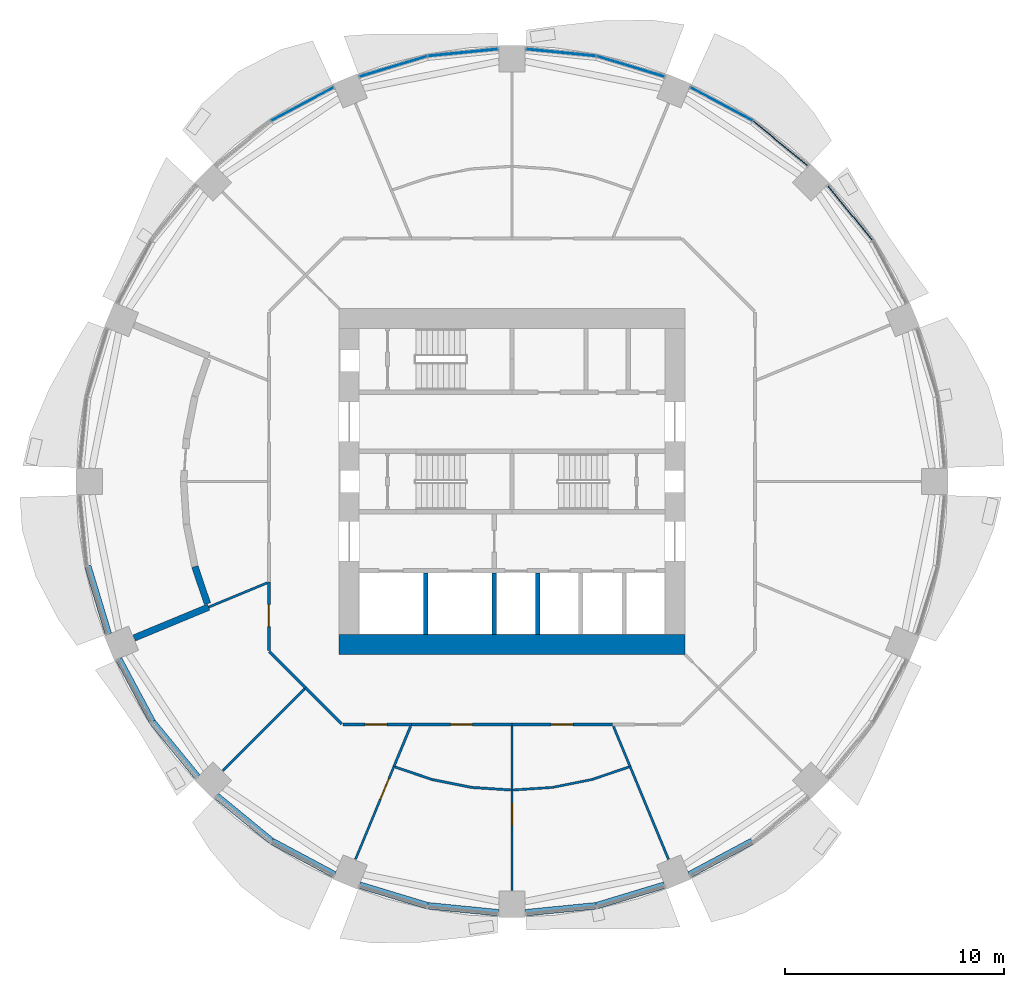
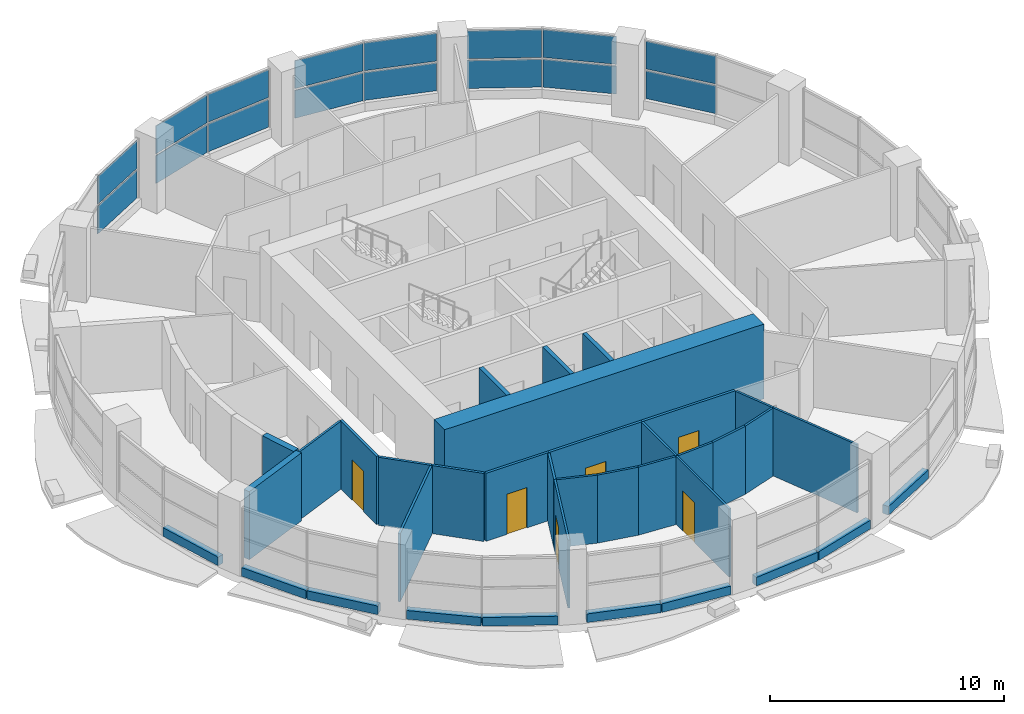
# One storey, part 7 of 15: 36 walls, 16 plates, 6 doors, 6 openings, 5 elements without a shape of their own.
"""IFC4 building model written with IfcOpenShell, lengths in metres."""

from ifc_helpers import new_model, si_unit, direction, frame, frame_2d, origin, origin_2d, place, context, subcontext, project, spatial, rectangle, extrude, material, layer, layer_set, type_object, element, fill, aggregate, save


model = new_model("IFC4")

# Units and contexts
model_context = context("Model", 3, precision=1e-05, world=origin(), true_north=direction((0.0, 1.0)))
body_context = subcontext(model_context, "Body", "Model", "MODEL_VIEW")
ifc_project = project(units=[si_unit("LENGTHUNIT", "METRE"), si_unit("AREAUNIT", "SQUARE_METRE"), si_unit("VOLUMEUNIT", "CUBIC_METRE"), si_unit("PLANEANGLEUNIT", "RADIAN"), si_unit("MASSUNIT", "GRAM", prefix="KILO")], contexts=[model_context])

# Site, building, storey
site_placement = place(None, origin())
site = spatial("IfcSite", under=ifc_project, at=site_placement, CompositionType="ELEMENT")
building_placement = place(site_placement, origin())
building = spatial("IfcBuilding", under=site, at=building_placement, Name="Polderwave Tower", CompositionType="ELEMENT")
storey_placement = place(building_placement, frame((0.0, 0.0, 18.5)))
storey = spatial("IfcBuildingStorey", under=building, at=storey_placement, Name="L04", CompositionType="ELEMENT", Elevation=18.5)

# Curtain wall, plates
ifc_material_1 = material(Name="Aluminium 6063-T6 and glass", Category="aluminium")
curtain_wall_type = type_object("IfcCurtainWallType", Name="Shopfront glazing wall", PredefinedType="NOTDEFINED", material=ifc_material_1)
curtain_wall_1_placement = place(storey_placement, origin())
curtain_wall_1 = element("IfcCurtainWall", 1, at=curtain_wall_1_placement, inside=storey, type_object=curtain_wall_type, Name="CW1 L04 01", PredefinedType="NOTDEFINED")
ifc_material_2 = material(Name="Glass, low-e laminated double glazing", Category="glass")
ifc_layer_1 = layer(ifc_material_2, 0.035888671875)
ifc_layer_set_1 = layer_set([ifc_layer_1], Name="Shopfront glazing glass panel 36 mm")
plate_type = type_object("IfcPlateType", Name="Shopfront glazing glass panel 36 mm", PredefinedType="CURTAIN_PANEL", material=ifc_layer_set_1)
plate_1_placement = place(storey_placement, frame((15.402099609375, 12.23046875, 0.4501953125), z_axis=(0.0, 0.0, 1.0), x_axis=(-0.634452645234, 0.772961733177, 0.0)))
plate_1 = element("IfcPlate", 2, at=plate_1_placement, type_object=plate_type, Name="CW1 panel 3", PredefinedType="CURTAIN_PANEL", context=body_context, shape_type="SweptSolid", body=[
    extrude(rectangle(XDim=3.180419921875, YDim=0.035888671875, at=origin_2d()), origin(), (0.0, 0.0, 1.0), 1.449951171875),
])
plate_2_placement = place(storey_placement, frame((15.402099609375, 12.23046875, 2.0), z_axis=(0.0, 0.0, 1.0), x_axis=(-0.634452645234, 0.772961733177, 0.0)))
plate_2 = element("IfcPlate", 3, at=plate_2_placement, type_object=plate_type, Name="CW1 panel 4", PredefinedType="CURTAIN_PANEL", context=body_context, shape_type="SweptSolid", body=[
    extrude(rectangle(XDim=3.180419921875, YDim=0.035888671875, at=origin_2d()), origin(), (0.0, 0.0, 1.0), 1.449951171875),
])
aggregate(curtain_wall_1, [plate_1, plate_2])

curtain_wall_2_placement = place(storey_placement, origin())
curtain_wall_2 = element("IfcCurtainWall", 4, at=curtain_wall_2_placement, inside=storey, type_object=curtain_wall_type, Name="CW1 L04 02", PredefinedType="NOTDEFINED")
plate_3_placement = place(storey_placement, frame((12.23046875, 15.402099609375, 0.4501953125), z_axis=(0.0, 0.0, 1.0), x_axis=(-0.772961733177, 0.634452645234, 0.0)))
plate_3 = element("IfcPlate", 5, at=plate_3_placement, type_object=plate_type, Name="CW1 panel 1", PredefinedType="CURTAIN_PANEL", context=body_context, shape_type="SweptSolid", body=[
    extrude(rectangle(XDim=3.180419921875, YDim=0.035888671875, at=origin_2d()), origin(), (0.0, 0.0, 1.0), 1.449951171875),
])
plate_4_placement = place(storey_placement, frame((12.23046875, 15.402099609375, 2.0), z_axis=(0.0, 0.0, 1.0), x_axis=(-0.772961733177, 0.634452645234, 0.0)))
plate_4 = element("IfcPlate", 6, at=plate_4_placement, type_object=plate_type, Name="CW1 panel 2", PredefinedType="CURTAIN_PANEL", context=body_context, shape_type="SweptSolid", body=[
    extrude(rectangle(XDim=3.180419921875, YDim=0.035888671875, at=origin_2d()), origin(), (0.0, 0.0, 1.0), 1.449951171875),
])
plate_5_placement = place(storey_placement, frame((9.54931640625, 17.19384765625, 0.4501953125), z_axis=(0.0, 0.0, 1.0), x_axis=(-0.881861196987, 0.471509097737, 0.0)))
plate_5 = element("IfcPlate", 7, at=plate_5_placement, type_object=plate_type, Name="CW1 panel 3", PredefinedType="CURTAIN_PANEL", context=body_context, shape_type="SweptSolid", body=[
    extrude(rectangle(XDim=3.180419921875, YDim=0.035888671875, at=origin_2d()), origin(), (0.0, 0.0, 1.0), 1.449951171875),
])
plate_6_placement = place(storey_placement, frame((9.54931640625, 17.19384765625, 2.0), z_axis=(0.0, 0.0, 1.0), x_axis=(-0.881861196987, 0.471509097737, 0.0)))
plate_6 = element("IfcPlate", 8, at=plate_6_placement, type_object=plate_type, Name="CW1 panel 4", PredefinedType="CURTAIN_PANEL", context=body_context, shape_type="SweptSolid", body=[
    extrude(rectangle(XDim=3.180419921875, YDim=0.035888671875, at=origin_2d()), origin(), (0.0, 0.0, 1.0), 1.449951171875),
])
aggregate(curtain_wall_2, [plate_3, plate_4, plate_5, plate_6])

curtain_wall_3_placement = place(storey_placement, origin())
curtain_wall_3 = element("IfcCurtainWall", 9, at=curtain_wall_3_placement, inside=storey, type_object=curtain_wall_type, Name="CW1 L04 03", PredefinedType="NOTDEFINED")
plate_7_placement = place(storey_placement, frame((5.405517578125, 18.909912109375, 0.4501953125), z_axis=(0.0, 0.0, 1.0), x_axis=(-0.956980857791, 0.290151060348, 0.0)))
plate_7 = element("IfcPlate", 10, at=plate_7_placement, type_object=plate_type, Name="CW1 panel 1", PredefinedType="CURTAIN_PANEL", context=body_context, shape_type="SweptSolid", body=[
    extrude(rectangle(XDim=3.1806640625, YDim=0.035888671875, at=origin_2d()), origin(), (0.0, 0.0, 1.0), 1.449951171875),
])
plate_8_placement = place(storey_placement, frame((5.405517578125, 18.909912109375, 2.0), z_axis=(0.0, 0.0, 1.0), x_axis=(-0.956980857791, 0.290151060348, 0.0)))
plate_8 = element("IfcPlate", 11, at=plate_8_placement, type_object=plate_type, Name="CW1 panel 2", PredefinedType="CURTAIN_PANEL", context=body_context, shape_type="SweptSolid", body=[
    extrude(rectangle(XDim=3.1806640625, YDim=0.035888671875, at=origin_2d()), origin(), (0.0, 0.0, 1.0), 1.449951171875),
])
plate_9_placement = place(storey_placement, frame((2.242431640625, 19.5390625, 0.4501953125), z_axis=(0.0, 0.0, 1.0), x_axis=(-0.995172401617, 0.098142198156, 0.0)))
plate_9 = element("IfcPlate", 12, at=plate_9_placement, type_object=plate_type, Name="CW1 panel 3", PredefinedType="CURTAIN_PANEL", context=body_context, shape_type="SweptSolid", body=[
    extrude(rectangle(XDim=3.180908203125, YDim=0.035888671875, at=origin_2d()), origin(), (0.0, 0.0, 1.0), 1.449951171875),
])
plate_10_placement = place(storey_placement, frame((2.242431640625, 19.5390625, 2.0), z_axis=(0.0, 0.0, 1.0), x_axis=(-0.995172401617, 0.098142198156, 0.0)))
plate_10 = element("IfcPlate", 13, at=plate_10_placement, type_object=plate_type, Name="CW1 panel 4", PredefinedType="CURTAIN_PANEL", context=body_context, shape_type="SweptSolid", body=[
    extrude(rectangle(XDim=3.180908203125, YDim=0.035888671875, at=origin_2d()), origin(), (0.0, 0.0, 1.0), 1.449951171875),
])
aggregate(curtain_wall_3, [plate_7, plate_8, plate_9, plate_10])

curtain_wall_4_placement = place(storey_placement, origin())
curtain_wall_4 = element("IfcCurtainWall", 14, at=curtain_wall_4_placement, inside=storey, type_object=curtain_wall_type, Name="CW1 L04 04", PredefinedType="NOTDEFINED")
plate_11_placement = place(storey_placement, frame((-2.242431640625, 19.5390625, 0.4501953125), z_axis=(0.0, 0.0, 1.0), x_axis=(-0.995172401617, -0.098142198156, 0.0)))
plate_11 = element("IfcPlate", 15, at=plate_11_placement, type_object=plate_type, Name="CW1 panel 1", PredefinedType="CURTAIN_PANEL", context=body_context, shape_type="SweptSolid", body=[
    extrude(rectangle(XDim=3.180908203125, YDim=0.035888671875, at=origin_2d()), origin(), (0.0, 0.0, 1.0), 1.449951171875),
])
plate_12_placement = place(storey_placement, frame((-2.242431640625, 19.5390625, 2.0), z_axis=(0.0, 0.0, 1.0), x_axis=(-0.995172401617, -0.098142198156, 0.0)))
plate_12 = element("IfcPlate", 16, at=plate_12_placement, type_object=plate_type, Name="CW1 panel 2", PredefinedType="CURTAIN_PANEL", context=body_context, shape_type="SweptSolid", body=[
    extrude(rectangle(XDim=3.180908203125, YDim=0.035888671875, at=origin_2d()), origin(), (0.0, 0.0, 1.0), 1.449951171875),
])
plate_13_placement = place(storey_placement, frame((-5.405517578125, 18.909912109375, 0.4501953125), z_axis=(0.0, 0.0, 1.0), x_axis=(-0.956980857791, -0.290151060348, 0.0)))
plate_13 = element("IfcPlate", 17, at=plate_13_placement, type_object=plate_type, Name="CW1 panel 3", PredefinedType="CURTAIN_PANEL", context=body_context, shape_type="SweptSolid", body=[
    extrude(rectangle(XDim=3.1806640625, YDim=0.035888671875, at=origin_2d()), origin(), (0.0, 0.0, 1.0), 1.449951171875),
])
plate_14_placement = place(storey_placement, frame((-5.405517578125, 18.909912109375, 2.0), z_axis=(0.0, 0.0, 1.0), x_axis=(-0.956980857791, -0.290151060348, 0.0)))
plate_14 = element("IfcPlate", 18, at=plate_14_placement, type_object=plate_type, Name="CW1 panel 4", PredefinedType="CURTAIN_PANEL", context=body_context, shape_type="SweptSolid", body=[
    extrude(rectangle(XDim=3.1806640625, YDim=0.035888671875, at=origin_2d()), origin(), (0.0, 0.0, 1.0), 1.449951171875),
])
aggregate(curtain_wall_4, [plate_11, plate_12, plate_13, plate_14])

curtain_wall_5_placement = place(storey_placement, origin())
curtain_wall_5 = element("IfcCurtainWall", 19, at=curtain_wall_5_placement, inside=storey, type_object=curtain_wall_type, Name="CW1 L04 05", PredefinedType="NOTDEFINED")
plate_15_placement = place(storey_placement, frame((-9.54931640625, 17.19384765625, 0.4501953125), z_axis=(0.0, 0.0, 1.0), x_axis=(-0.881861196987, -0.471509097737, 0.0)))
plate_15 = element("IfcPlate", 20, at=plate_15_placement, type_object=plate_type, Name="CW1 panel 1", PredefinedType="CURTAIN_PANEL", context=body_context, shape_type="SweptSolid", body=[
    extrude(rectangle(XDim=3.180419921875, YDim=0.035888671875, at=origin_2d()), origin(), (0.0, 0.0, 1.0), 1.449951171875),
])
plate_16_placement = place(storey_placement, frame((-9.54931640625, 17.19384765625, 2.0), z_axis=(0.0, 0.0, 1.0), x_axis=(-0.881861196987, -0.471509097737, 0.0)))
plate_16 = element("IfcPlate", 21, at=plate_16_placement, type_object=plate_type, Name="CW1 panel 2", PredefinedType="CURTAIN_PANEL", context=body_context, shape_type="SweptSolid", body=[
    extrude(rectangle(XDim=3.180419921875, YDim=0.035888671875, at=origin_2d()), origin(), (0.0, 0.0, 1.0), 1.449951171875),
])
aggregate(curtain_wall_5, [plate_15, plate_16])

# Walls
ifc_material_3 = material(Name="Concrete C80/95", Category="concrete")
ifc_layer_2 = layer(ifc_material_3, 0.89990234375)
ifc_layer_set_2 = layer_set([ifc_layer_2], Name="CORE WALL 900 C80/95")
wall_type_1 = type_object("IfcWallType", Name="CORE WALL 900 C80/95", PredefinedType="SHEAR", material=ifc_layer_set_2)
wall_1_placement = place(storey_placement, frame((-7.8740234375, -7.424072265625, 0.0), z_axis=(0.0, 0.0, 1.0), x_axis=(1.0, 0.0, 0.0)))
element("IfcWall", 22, at=wall_1_placement, inside=storey, type_object=wall_type_1, Name="ST-CORE-L04-S", PredefinedType="SHEAR", context=body_context, shape_type="SweptSolid", body=[
    extrude(rectangle(XDim=15.748046875, YDim=0.89990234375, at=frame_2d((7.8740234375, 0.0))), origin(), (0.0, 0.0, 1.0), 3.89990234375),
])
ifc_material_4 = material(Name="Insulated sandwich panel")
ifc_layer_3 = layer(ifc_material_4, 0.300048828125)
ifc_layer_set_3 = layer_set([ifc_layer_3], Name="Cold room wall 300 mm insulated panel")
wall_type_2 = type_object("IfcWallType", Name="Cold room wall 300 mm insulated panel", PredefinedType="PARTITIONING", material=ifc_layer_set_3)
wall_2_placement = place(storey_placement, frame((-14.447021484375, -3.881103515625, 0.0), z_axis=(0.0, 0.0, 1.0), x_axis=(0.321346666159, -0.946961625489, 0.0)))
element("IfcWall", 23, at=wall_2_placement, inside=storey, type_object=wall_type_2, Name="IN-L04-W050", PredefinedType="PARTITIONING", context=body_context, shape_type="SweptSolid", body=[
    extrude(rectangle(XDim=1.786865234375, YDim=0.300048828125, at=frame_2d((0.8935546875, 0.0))), origin(), (0.0, 0.0, 1.0), 3.550048828125),
])
wall_3_placement = place(storey_placement, frame((-13.8212890625, -5.724853515625, 0.0), z_axis=(0.0, 0.0, 1.0), x_axis=(-0.923870076355, -0.382706260748, 0.0)))
element("IfcWall", 24, at=wall_3_placement, inside=storey, type_object=wall_type_2, Name="IN-L04-W051", PredefinedType="PARTITIONING", context=body_context, shape_type="SweptSolid", body=[
    extrude(rectangle(XDim=3.669921875, YDim=0.300048828125, at=frame_2d((1.8349609375, 0.0))), origin(), (0.0, 0.0, 1.0), 3.550048828125),
])
ifc_material_5 = material(Name="Concrete C50/60 (board-marked)", Category="concrete")
ifc_layer_4 = layer(ifc_material_5, 0.300048828125)
ifc_layer_set_4 = layer_set([ifc_layer_4], Name="Concrete spandrel upstand C50/60")
wall_type_3 = type_object("IfcWallType", Name="Concrete spandrel upstand C50/60", PredefinedType="SOLIDWALL", material=ifc_layer_set_4)
for number, where, z_axis, x_axis, name in (
    (25, (-19.32666015625, -3.859375, 0.0), (0.0, 0.0, 1.0), (0.290256839806, -0.956948779688, 0.0), "Spandrel L04 9b"),
    (26, (-17.9189453125, -8.086181640625, 0.0), (0.0, 0.0, 1.0), (0.471458300233, -0.881888355259, 0.0), "Spandrel L04 10a"),
):
    element("IfcWall", number, at=place(storey_placement, frame(where, z_axis=z_axis, x_axis=x_axis)), inside=storey, type_object=wall_type_3, Name=name, PredefinedType="SOLIDWALL", context=body_context, shape_type="SweptSolid", body=[
        extrude(rectangle(XDim=3.232421875, YDim=0.300048828125, at=frame_2d((1.6162109375, 0.0))), origin(), (0.0, 0.0, 1.0), 0.449951171875),
    ])
for number, where, z_axis, x_axis, name in (
    (27, (-16.37841796875, -10.961669921875, 0.0), (0.0, 0.0, 1.0), (0.634228631649, -0.773145550849, 0.0), "Spandrel L04 10b"),
    (28, (-13.46044921875, -14.32861328125, 0.0), (0.0, 0.0, 1.0), (0.773145550849, -0.634228631649, 0.0), "Spandrel L04 11a"),
):
    element("IfcWall", number, at=place(storey_placement, frame(where, z_axis=z_axis, x_axis=x_axis)), inside=storey, type_object=wall_type_3, Name=name, PredefinedType="SOLIDWALL", context=body_context, shape_type="SweptSolid", body=[
        extrude(rectangle(XDim=3.23193359375, YDim=0.300048828125, at=frame_2d((1.615966796875, 0.0))), origin(), (0.0, 0.0, 1.0), 0.449951171875),
    ])
for number, where, z_axis, x_axis, name in (
    (29, (-10.936767578125, -16.39501953125, 0.0), (0.0, 0.0, 1.0), (0.881888355259, -0.471458300233, 0.0), "Spandrel L04 11b"),
    (30, (-6.95263671875, -18.388427734375, 0.0), (0.0, 0.0, 1.0), (0.956948779688, -0.290256839806, 0.0), "Spandrel L04 12a"),
):
    element("IfcWall", number, at=place(storey_placement, frame(where, z_axis=z_axis, x_axis=x_axis)), inside=storey, type_object=wall_type_3, Name=name, PredefinedType="SOLIDWALL", context=body_context, shape_type="SweptSolid", body=[
        extrude(rectangle(XDim=3.232421875, YDim=0.300048828125, at=frame_2d((1.6162109375, 0.0))), origin(), (0.0, 0.0, 1.0), 0.449951171875),
    ])
for number, where, z_axis, x_axis, name in (
    (31, (-3.830078125, -19.33251953125, 0.0), (0.0, 0.0, 1.0), (0.995184135225, -0.098023145206, 0.0), "Spandrel L04 12b"),
    (32, (0.61279296875, -19.6494140625, 0.0), (0.0, 0.0, 1.0), (0.995184135225, 0.098023145206, 0.0), "Spandrel L04 13a"),
):
    element("IfcWall", number, at=place(storey_placement, frame(where, z_axis=z_axis, x_axis=x_axis)), inside=storey, type_object=wall_type_3, Name=name, PredefinedType="SOLIDWALL", context=body_context, shape_type="SweptSolid", body=[
        extrude(rectangle(XDim=3.23291015625, YDim=0.300048828125, at=frame_2d((1.616455078125, 0.0))), origin(), (0.0, 0.0, 1.0), 0.449951171875),
    ])
for number, where, z_axis, x_axis, name in (
    (33, (3.859375, -19.32666015625, 0.0), (0.0, 0.0, 1.0), (0.956948779688, 0.290256839806, 0.0), "Spandrel L04 13b"),
    (34, (8.086181640625, -17.9189453125, 0.0), (0.0, 0.0, 1.0), (0.881888355259, 0.471458300233, 0.0), "Spandrel L04 14a"),
):
    element("IfcWall", number, at=place(storey_placement, frame(where, z_axis=z_axis, x_axis=x_axis)), inside=storey, type_object=wall_type_3, Name=name, PredefinedType="SOLIDWALL", context=body_context, shape_type="SweptSolid", body=[
        extrude(rectangle(XDim=3.232421875, YDim=0.300048828125, at=frame_2d((1.6162109375, 0.0))), origin(), (0.0, 0.0, 1.0), 0.449951171875),
    ])

# Wall, opening, door
ifc_material_6 = material(Name="Fire-resisting board on steel studs", Category="steel")
ifc_layer_5 = layer(ifc_material_6, 0.125)
ifc_layer_set_5 = layer_set([ifc_layer_5], Name="Corridor wall 125 mm EI 60")
wall_type_4 = type_object("IfcWallType", Name="Corridor wall 125 mm EI 60", PredefinedType="PARTITIONING", material=ifc_layer_set_5)
wall_4_placement = place(storey_placement, frame((-11.073974609375, -7.708984375, 0.0), z_axis=(0.0, 0.0, 1.0), x_axis=(0.0, 1.0, 0.0)))
wall_4 = element("IfcWall", 35, at=wall_4_placement, inside=storey, type_object=wall_type_4, Name="IN-L04-W019", PredefinedType="PARTITIONING", context=body_context, shape_type="SweptSolid", body=[
    extrude(rectangle(XDim=3.1220703125, YDim=0.125, at=frame_2d((1.56103515625, 0.0))), origin(), (0.0, 0.0, 1.0), 3.550048828125),
])
opening_1_placement = place(wall_4_placement, frame((1.10009765625, 0.0, 0.0)))
opening_1 = element("IfcOpeningElement", 36, at=opening_1_placement, cuts=wall_4, Name="Opening L04-D62", PredefinedType="OPENING", context=body_context, shape_type="SweptSolid", body=[
    extrude(rectangle(XDim=1.0, YDim=2.10009765625, at=frame_2d((0.5, 1.050048828125))), frame((0.0, 0.072509765625, 0.0), z_axis=(0.0, -1.0, 0.0), x_axis=(1.0, 0.0, 0.0)), (0.0, 0.0, 1.0), 0.14501953125),
])
ifc_material_7 = material(Name="Timber fire door leaf", Category="wood")
door_type_1 = type_object("IfcDoorType", Name="Fire door FD30S 1000 x 2100", OperationType="NOTDEFINED", PredefinedType="DOOR", material=ifc_material_7)
door_1_placement = place(opening_1_placement, origin())
door_1 = element("IfcDoor", 37, at=door_1_placement, inside=storey, type_object=door_type_1, Name="Door L04-D62", OperationType="SINGLE_SWING_RIGHT", OverallHeight=2.10009765625, OverallWidth=1.0, PredefinedType="DOOR", context=body_context, shape_type="SweptSolid", body=[
    extrude(rectangle(XDim=1.0, YDim=2.10009765625, at=frame_2d((0.5, 1.050048828125))), frame((0.0, 0.02490234375, 0.0), z_axis=(0.0, -1.0, 0.0), x_axis=(1.0, 0.0, 0.0)), (0.0, 0.0, 1.0), 0.050048828125),
])
fill(opening_1, door_1)

# Walls
for number, where, z_axis, x_axis, name in (
    (38, (-9.404541015625, -9.404541015625, 0.0), (0.0, 0.0, 1.0), (-0.707106781187, 0.707106781187, 0.0), "IN-L04-W020"),
    (39, (-7.75341796875, -11.0556640625, 0.0), (0.0, 0.0, 1.0), (-0.707106781187, 0.707106781187, 0.0), "IN-L04-W021"),
):
    element("IfcWall", number, at=place(storey_placement, frame(where, z_axis=z_axis, x_axis=x_axis)), inside=storey, type_object=wall_type_4, Name=name, PredefinedType="PARTITIONING", context=body_context, shape_type="SweptSolid", body=[
        extrude(rectangle(XDim=2.3349609375, YDim=0.125, at=frame_2d((1.16748046875, 0.0))), origin(), (0.0, 0.0, 1.0), 3.550048828125),
    ])

# Wall, opening, door
wall_5_placement = place(storey_placement, frame((-4.5869140625, -11.073974609375, 0.0), z_axis=(0.0, 0.0, 1.0), x_axis=(-1.0, 0.0, 0.0)))
wall_5 = element("IfcWall", 40, at=wall_5_placement, inside=storey, type_object=wall_type_4, Name="IN-L04-W022", PredefinedType="PARTITIONING", context=body_context, shape_type="SweptSolid", body=[
    extrude(rectangle(XDim=3.1220703125, YDim=0.125, at=frame_2d((1.56103515625, 0.0))), origin(), (0.0, 0.0, 1.0), 3.550048828125),
])
opening_2_placement = place(wall_5_placement, frame((1.10009765625, 0.0, 0.0)))
opening_2 = element("IfcOpeningElement", 41, at=opening_2_placement, cuts=wall_5, Name="Opening L04-D63", PredefinedType="OPENING", context=body_context, shape_type="SweptSolid", body=[
    extrude(rectangle(XDim=1.0, YDim=2.10009765625, at=frame_2d((0.5, 1.050048828125))), frame((0.0, 0.072509765625, 0.0), z_axis=(0.0, -1.0, 0.0), x_axis=(1.0, 0.0, 0.0)), (0.0, 0.0, 1.0), 0.14501953125),
])
door_2_placement = place(opening_2_placement, origin())
door_2 = element("IfcDoor", 42, at=door_2_placement, inside=storey, type_object=door_type_1, Name="Door L04-D63", OperationType="SINGLE_SWING_RIGHT", OverallHeight=2.10009765625, OverallWidth=1.0, PredefinedType="DOOR", context=body_context, shape_type="SweptSolid", body=[
    extrude(rectangle(XDim=1.0, YDim=2.10009765625, at=frame_2d((0.5, 1.050048828125))), frame((0.0, 0.02490234375, 0.0), z_axis=(0.0, -1.0, 0.0), x_axis=(1.0, 0.0, 0.0)), (0.0, 0.0, 1.0), 0.050048828125),
])
fill(opening_2, door_2)

wall_6_placement = place(storey_placement, frame((0.0, -11.073974609375, 0.0), z_axis=(0.0, 0.0, 1.0), x_axis=(-1.0, 0.0, 0.0)))
wall_6 = element("IfcWall", 43, at=wall_6_placement, inside=storey, type_object=wall_type_4, Name="IN-L04-W023", PredefinedType="PARTITIONING", context=body_context, shape_type="SweptSolid", body=[
    extrude(rectangle(XDim=4.5869140625, YDim=0.125, at=frame_2d((2.29345703125, 0.0))), origin(), (0.0, 0.0, 1.0), 3.550048828125),
])
opening_3_placement = place(wall_6_placement, frame((1.800048828125, 0.0, 0.0)))
opening_3 = element("IfcOpeningElement", 44, at=opening_3_placement, cuts=wall_6, Name="Opening L04-D64", PredefinedType="OPENING", context=body_context, shape_type="SweptSolid", body=[
    extrude(rectangle(XDim=1.0, YDim=2.10009765625, at=frame_2d((0.5, 1.050048828125))), frame((0.0, 0.072509765625, 0.0), z_axis=(0.0, -1.0, 0.0), x_axis=(1.0, 0.0, 0.0)), (0.0, 0.0, 1.0), 0.14501953125),
])
door_3_placement = place(opening_3_placement, origin())
door_3 = element("IfcDoor", 45, at=door_3_placement, inside=storey, type_object=door_type_1, Name="Door L04-D64", OperationType="SINGLE_SWING_RIGHT", OverallHeight=2.10009765625, OverallWidth=1.0, PredefinedType="DOOR", context=body_context, shape_type="SweptSolid", body=[
    extrude(rectangle(XDim=1.0, YDim=2.10009765625, at=frame_2d((0.5, 1.050048828125))), frame((0.0, 0.02490234375, 0.0), z_axis=(0.0, -1.0, 0.0), x_axis=(1.0, 0.0, 0.0)), (0.0, 0.0, 1.0), 0.050048828125),
])
fill(opening_3, door_3)

wall_7_placement = place(storey_placement, frame((4.5869140625, -11.073974609375, 0.0), z_axis=(0.0, 0.0, 1.0), x_axis=(-1.0, 0.0, 0.0)))
wall_7 = element("IfcWall", 46, at=wall_7_placement, inside=storey, type_object=wall_type_4, Name="IN-L04-W024", PredefinedType="PARTITIONING", context=body_context, shape_type="SweptSolid", body=[
    extrude(rectangle(XDim=4.5869140625, YDim=0.125, at=frame_2d((2.29345703125, 0.0))), origin(), (0.0, 0.0, 1.0), 3.550048828125),
])
opening_4_placement = place(wall_7_placement, frame((1.800048828125, 0.0, 0.0)))
opening_4 = element("IfcOpeningElement", 47, at=opening_4_placement, cuts=wall_7, Name="Opening L04-D65", PredefinedType="OPENING", context=body_context, shape_type="SweptSolid", body=[
    extrude(rectangle(XDim=1.0, YDim=2.10009765625, at=frame_2d((0.5, 1.050048828125))), frame((0.0, 0.072509765625, 0.0), z_axis=(0.0, -1.0, 0.0), x_axis=(1.0, 0.0, 0.0)), (0.0, 0.0, 1.0), 0.14501953125),
])
door_4_placement = place(opening_4_placement, origin())
door_4 = element("IfcDoor", 48, at=door_4_placement, inside=storey, type_object=door_type_1, Name="Door L04-D65", OperationType="SINGLE_SWING_RIGHT", OverallHeight=2.10009765625, OverallWidth=1.0, PredefinedType="DOOR", context=body_context, shape_type="SweptSolid", body=[
    extrude(rectangle(XDim=1.0, YDim=2.10009765625, at=frame_2d((0.5, 1.050048828125))), frame((0.0, 0.02490234375, 0.0), z_axis=(0.0, -1.0, 0.0), x_axis=(1.0, 0.0, 0.0)), (0.0, 0.0, 1.0), 0.050048828125),
])
fill(opening_4, door_4)

ifc_material_8 = material(Name="Plasterboard on steel studs", Category="steel")
ifc_layer_6 = layer(ifc_material_8, 0.10009765625)
ifc_layer_set_6 = layer_set([ifc_layer_6], Name="Partition 100 mm plasterboard on steel studs")
wall_type_5 = type_object("IfcWallType", Name="Partition 100 mm plasterboard on steel studs", PredefinedType="PARTITIONING", material=ifc_layer_set_6)
wall_8_placement = place(storey_placement, frame((-5.380615234375, -12.98974609375, 0.0), z_axis=(0.0, 0.0, 1.0), x_axis=(-0.382664766489, -0.923887263949, 0.0)))
wall_8 = element("IfcWall", 49, at=wall_8_placement, inside=storey, type_object=wall_type_5, Name="IN-L04-W055", PredefinedType="PARTITIONING", context=body_context, shape_type="SweptSolid", body=[
    extrude(rectangle(XDim=4.570068359375, YDim=0.10009765625, at=frame_2d((2.28515625, 0.0))), origin(), (0.0, 0.0, 1.0), 3.550048828125),
])
opening_5_placement = place(wall_8_placement, frame((0.60009765625, 0.0, 0.0)))
opening_5 = element("IfcOpeningElement", 50, at=opening_5_placement, cuts=wall_8, Name="Opening L04-D70", PredefinedType="OPENING", context=body_context, shape_type="SweptSolid", body=[
    extrude(rectangle(XDim=1.0, YDim=2.10009765625, at=frame_2d((0.5, 1.050048828125))), frame((0.0, 0.06005859375, 0.0), z_axis=(0.0, -1.0, 0.0), x_axis=(1.0, 0.0, 0.0)), (0.0, 0.0, 1.0), 0.1201171875),
])
ifc_material_9 = material(Name="Timber veneer door leaf", Category="wood")
door_type_2 = type_object("IfcDoorType", Name="Single door 1000 x 2100", OperationType="NOTDEFINED", PredefinedType="DOOR", material=ifc_material_9)
door_5_placement = place(opening_5_placement, origin())
door_5 = element("IfcDoor", 51, at=door_5_placement, inside=storey, type_object=door_type_2, Name="Door L04-D70", OperationType="SINGLE_SWING_LEFT", OverallHeight=2.10009765625, OverallWidth=1.0, PredefinedType="DOOR", context=body_context, shape_type="SweptSolid", body=[
    extrude(rectangle(XDim=1.0, YDim=2.10009765625, at=frame_2d((0.5, 1.050048828125))), frame((0.0, 0.02490234375, 0.0), z_axis=(0.0, -1.0, 0.0), x_axis=(1.0, 0.0, 0.0)), (0.0, 0.0, 1.0), 0.050048828125),
])
fill(opening_5, door_5)

wall_9_placement = place(storey_placement, frame((0.0, -14.06005859375, 0.0), z_axis=(0.0, 0.0, 1.0), x_axis=(0.0, -1.0, 0.0)))
wall_9 = element("IfcWall", 52, at=wall_9_placement, inside=storey, type_object=wall_type_5, Name="IN-L04-W060", PredefinedType="PARTITIONING", context=body_context, shape_type="SweptSolid", body=[
    extrude(rectangle(XDim=4.56982421875, YDim=0.10009765625, at=frame_2d((2.284912109375, 0.0))), origin(), (0.0, 0.0, 1.0), 3.550048828125),
])
opening_6_placement = place(wall_9_placement, frame((0.60009765625, 0.0, 0.0)))
opening_6 = element("IfcOpeningElement", 53, at=opening_6_placement, cuts=wall_9, Name="Opening L04-D71", PredefinedType="OPENING", context=body_context, shape_type="SweptSolid", body=[
    extrude(rectangle(XDim=1.0, YDim=2.10009765625, at=frame_2d((0.5, 1.050048828125))), frame((0.0, 0.06005859375, 0.0), z_axis=(0.0, -1.0, 0.0), x_axis=(1.0, 0.0, 0.0)), (0.0, 0.0, 1.0), 0.1201171875),
])
door_6_placement = place(opening_6_placement, origin())
door_6 = element("IfcDoor", 54, at=door_6_placement, inside=storey, type_object=door_type_2, Name="Door L04-D71", OperationType="SINGLE_SWING_LEFT", OverallHeight=2.10009765625, OverallWidth=1.0, PredefinedType="DOOR", context=body_context, shape_type="SweptSolid", body=[
    extrude(rectangle(XDim=1.0, YDim=2.10009765625, at=frame_2d((0.5, 1.050048828125))), frame((0.0, 0.02490234375, 0.0), z_axis=(0.0, -1.0, 0.0), x_axis=(1.0, 0.0, 0.0)), (0.0, 0.0, 1.0), 0.050048828125),
])
fill(opening_6, door_6)

# Walls
ifc_material_10 = material(Name="Moisture-resistant board on steel studs, tiled", Category="steel")
ifc_layer_7 = layer(ifc_material_10, 0.10498046875)
ifc_layer_set_7 = layer_set([ifc_layer_7], Name="Partition 105 mm wet room board and tile")
wall_type_6 = type_object("IfcWallType", Name="Partition 105 mm wet room board and tile", PredefinedType="PARTITIONING", material=ifc_layer_set_7)
wall_10_placement = place(storey_placement, frame((-11.156494140625, -4.62109375, 0.0), z_axis=(0.0, 0.0, 1.0), x_axis=(-0.923883753017, -0.382673243004, 0.0)))
element("IfcWall", 55, at=wall_10_placement, inside=storey, type_object=wall_type_6, Name="IN-L04-W052", PredefinedType="PARTITIONING", context=body_context, shape_type="SweptSolid", body=[
    extrude(rectangle(XDim=2.88427734375, YDim=0.10498046875, at=frame_2d((1.442138671875, 0.0))), origin(), (0.0, 0.0, 1.0), 3.550048828125),
])
wall_11_placement = place(storey_placement, frame((0.0, -11.136474609375, 0.0), z_axis=(0.0, 0.0, 1.0), x_axis=(0.0, -1.0, 0.0)))
element("IfcWall", 56, at=wall_11_placement, inside=storey, type_object=wall_type_6, Name="IN-L04-W059", PredefinedType="PARTITIONING", context=body_context, shape_type="SweptSolid", body=[
    extrude(rectangle(XDim=2.923583984375, YDim=0.10498046875, at=frame_2d((1.4619140625, 0.0))), origin(), (0.0, 0.0, 1.0), 3.550048828125),
])
wall_12_placement = place(storey_placement, frame((1.831787109375, -13.93994140625, 0.0), z_axis=(0.0, 0.0, 1.0), x_axis=(-0.997856802212, -0.065435481806, 0.0)))
element("IfcWall", 57, at=wall_12_placement, inside=storey, type_object=wall_type_6, Name="IN-L04-W061", PredefinedType="PARTITIONING", context=body_context, shape_type="SweptSolid", body=[
    extrude(rectangle(XDim=1.77978515625, YDim=0.10498046875, at=frame_2d((0.889892578125, 0.0))), origin(), (0.0, 0.0, 1.0), 3.550048828125),
])
wall_13_placement = place(storey_placement, frame((3.635498046875, -13.58154296875, 0.0), z_axis=(0.0, 0.0, 1.0), x_axis=(-0.980785153523, -0.195090959886, 0.0)))
element("IfcWall", 58, at=wall_13_placement, inside=storey, type_object=wall_type_6, Name="IN-L04-W062", PredefinedType="PARTITIONING", context=body_context, shape_type="SweptSolid", body=[
    extrude(rectangle(XDim=1.83203125, YDim=0.10498046875, at=frame_2d((0.916015625, 0.0))), origin(), (0.0, 0.0, 1.0), 3.550048828125),
])
wall_14_placement = place(storey_placement, frame((5.327392578125, -13.0078125, 0.0), z_axis=(0.0, 0.0, 1.0), x_axis=(-0.946926508638, -0.321450131808, 0.0)))
element("IfcWall", 59, at=wall_14_placement, inside=storey, type_object=wall_type_6, Name="IN-L04-W063", PredefinedType="PARTITIONING", context=body_context, shape_type="SweptSolid", body=[
    extrude(rectangle(XDim=1.779541015625, YDim=0.10498046875, at=frame_2d((0.8896484375, 0.0))), origin(), (0.0, 0.0, 1.0), 3.550048828125),
])
wall_15_placement = place(storey_placement, frame((4.62109375, -11.156494140625, 0.0), z_axis=(0.0, 0.0, 1.0), x_axis=(0.382753828944, -0.923850370151, 0.0)))
element("IfcWall", 60, at=wall_15_placement, inside=storey, type_object=wall_type_6, Name="IN-L04-W064", PredefinedType="PARTITIONING", context=body_context, shape_type="SweptSolid", body=[
    extrude(rectangle(XDim=1.984375, YDim=0.10498046875, at=frame_2d((0.9921875, 0.0))), origin(), (0.0, 0.0, 1.0), 3.550048828125),
])
wall_16_placement = place(storey_placement, frame((5.380615234375, -12.98974609375, 0.0), z_axis=(0.0, 0.0, 1.0), x_axis=(0.382664766489, -0.923887263949, 0.0)))
element("IfcWall", 61, at=wall_16_placement, inside=storey, type_object=wall_type_6, Name="IN-L04-W065", PredefinedType="PARTITIONING", context=body_context, shape_type="SweptSolid", body=[
    extrude(rectangle(XDim=4.570068359375, YDim=0.10498046875, at=frame_2d((2.28515625, 0.0))), origin(), (0.0, 0.0, 1.0), 3.550048828125),
])
ifc_material_11 = material(Name="Acoustic double plasterboard on steel studs", Category="steel")
ifc_layer_8 = layer(ifc_material_11, 0.110107421875)
ifc_layer_set_8 = layer_set([ifc_layer_8], Name="Partition 110 mm acoustic double board")
wall_type_7 = type_object("IfcWallType", Name="Partition 110 mm acoustic double board", PredefinedType="PARTITIONING", material=ifc_layer_set_8)
wall_17_placement = place(storey_placement, frame((-9.44873046875, -9.44873046875, 0.0), z_axis=(0.0, 0.0, 1.0), x_axis=(-0.707106781187, -0.707106781187, 0.0)))
element("IfcWall", 62, at=wall_17_placement, inside=storey, type_object=wall_type_7, Name="IN-L04-W053", PredefinedType="PARTITIONING", context=body_context, shape_type="SweptSolid", body=[
    extrude(rectangle(XDim=5.267333984375, YDim=0.110107421875, at=frame_2d((2.6337890625, 0.0))), origin(), (0.0, 0.0, 1.0), 3.550048828125),
])
wall_18_placement = place(storey_placement, frame((-4.62158203125, -11.157470703125, 0.0), z_axis=(0.0, 0.0, 1.0), x_axis=(-0.382717813301, -0.923865290712, 0.0)))
element("IfcWall", 63, at=wall_18_placement, inside=storey, type_object=wall_type_7, Name="IN-L04-W054", PredefinedType="PARTITIONING", context=body_context, shape_type="SweptSolid", body=[
    extrude(rectangle(XDim=1.983154296875, YDim=0.110107421875, at=frame_2d((0.99169921875, 0.0))), origin(), (0.0, 0.0, 1.0), 3.550048828125),
])
wall_19_placement = place(storey_placement, frame((-3.642333984375, -13.57958984375, 0.0), z_axis=(0.0, 0.0, 1.0), x_axis=(-0.946951822336, 0.321375553169, 0.0)))
element("IfcWall", 64, at=wall_19_placement, inside=storey, type_object=wall_type_7, Name="IN-L04-W056", PredefinedType="PARTITIONING", context=body_context, shape_type="SweptSolid", body=[
    extrude(rectangle(XDim=1.77685546875, YDim=0.110107421875, at=frame_2d((0.888427734375, 0.0))), origin(), (0.0, 0.0, 1.0), 3.550048828125),
])
wall_20_placement = place(storey_placement, frame((-1.838623046875, -13.93896484375, 0.0), z_axis=(0.0, 0.0, 1.0), x_axis=(-0.980785153523, 0.195090959886, 0.0)))
element("IfcWall", 65, at=wall_20_placement, inside=storey, type_object=wall_type_7, Name="IN-L04-W057", PredefinedType="PARTITIONING", context=body_context, shape_type="SweptSolid", body=[
    extrude(rectangle(XDim=1.83203125, YDim=0.110107421875, at=frame_2d((0.916015625, 0.0))), origin(), (0.0, 0.0, 1.0), 3.550048828125),
])
wall_21_placement = place(storey_placement, frame((-0.05615234375, -14.056396484375, 0.0), z_axis=(0.0, 0.0, 1.0), x_axis=(-0.997855626963, 0.065453401274, 0.0)))
element("IfcWall", 66, at=wall_21_placement, inside=storey, type_object=wall_type_7, Name="IN-L04-W058", PredefinedType="PARTITIONING", context=body_context, shape_type="SweptSolid", body=[
    extrude(rectangle(XDim=1.779296875, YDim=0.110107421875, at=frame_2d((0.8896484375, 0.0))), origin(), (0.0, 0.0, 1.0), 3.550048828125),
])
ifc_material_12 = material(Name="Gypsum shaft wall system")
ifc_layer_9 = layer(ifc_material_12, 0.199951171875)
ifc_layer_set_9 = layer_set([ifc_layer_9], Name="Shaft wall 200")
wall_type_8 = type_object("IfcWallType", Name="Shaft wall 200", PredefinedType="PARTITIONING", material=ifc_layer_set_9)
for number, where, z_axis, x_axis, name in (
    (67, (-3.93701171875, -6.97412109375, 0.0), (0.0, 0.0, 1.0), (0.0, 1.0, 0.0), "L04 fire-fighting shaft wall 1"),
    (68, (-0.800048828125, -6.97412109375, 0.0), (0.0, 0.0, 1.0), (0.0, 1.0, 0.0), "L04 fire-fighting shaft wall 2"),
    (69, (1.16845703125, -6.97412109375, 0.0), (0.0, 0.0, 1.0), (0.0, 1.0, 0.0), "L04 lift shaft wall 1"),
):
    element("IfcWall", number, at=place(storey_placement, frame(where, z_axis=z_axis, x_axis=x_axis)), inside=storey, type_object=wall_type_8, Name=name, PredefinedType="PARTITIONING", context=body_context, shape_type="SweptSolid", body=[
        extrude(rectangle(XDim=2.800048828125, YDim=0.199951171875, at=frame_2d((1.39990234375, 0.0))), origin(), (0.0, 0.0, 1.0), 3.550048828125),
    ])

save(model, "model.ifc")
